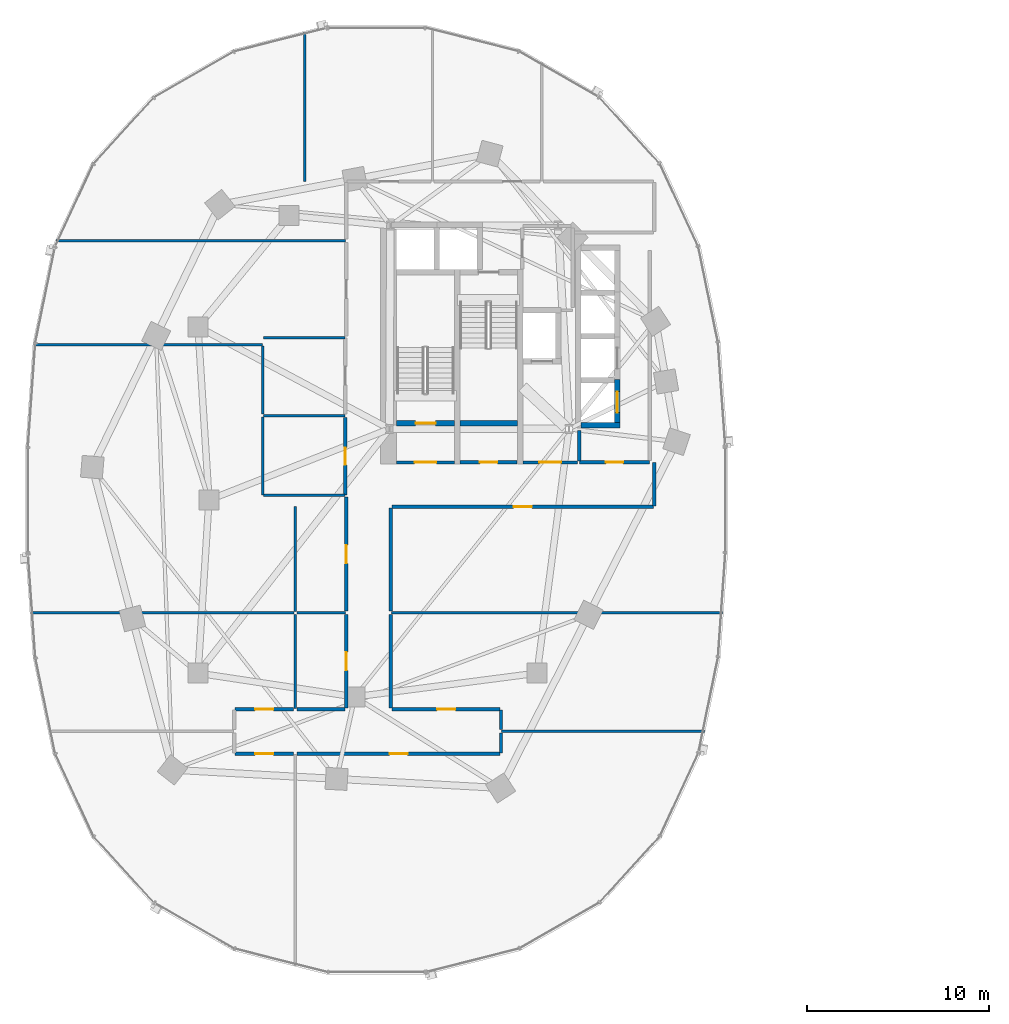
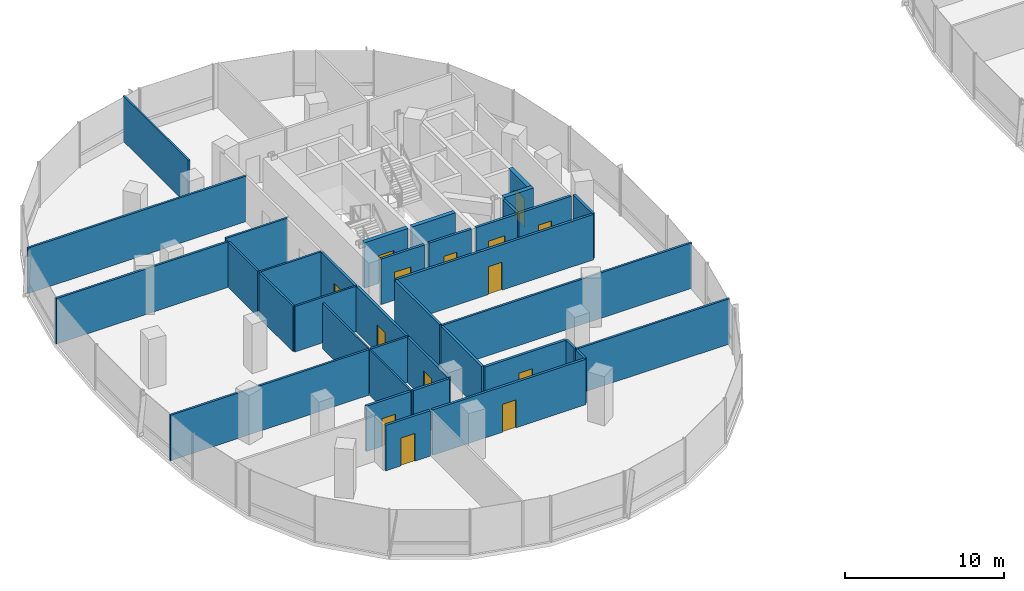
# One storey, part 11 of 22: 37 walls, 14 doors, 14 openings.
"""IFC4 building model written with IfcOpenShell, lengths in metres."""

from ifc_helpers import new_model, si_unit, direction, frame, frame_2d, origin, place, context, subcontext, project, spatial, rectangle, extrude, material, layer, layer_set, type_object, element, fill, save


model = new_model("IFC4")

# Units and contexts
model_context = context("Model", 3, precision=1e-05, world=origin(), true_north=direction((0.0, 1.0)))
body_context = subcontext(model_context, "Body", "Model", "MODEL_VIEW")
ifc_project = project(units=[si_unit("LENGTHUNIT", "METRE"), si_unit("AREAUNIT", "SQUARE_METRE"), si_unit("VOLUMEUNIT", "CUBIC_METRE"), si_unit("PLANEANGLEUNIT", "RADIAN"), si_unit("MASSUNIT", "GRAM", prefix="KILO"), si_unit("THERMODYNAMICTEMPERATUREUNIT", "KELVIN"), si_unit("POWERUNIT", "WATT")], contexts=[model_context])

# Site, building, storey
site_placement = place(None, origin())
site = spatial("IfcSite", under=ifc_project, at=site_placement, CompositionType="ELEMENT")
building_placement = place(site_placement, origin())
building = spatial("IfcBuilding", under=site, at=building_placement, Name="Cundina Bronze Exchange", CompositionType="ELEMENT")
storey_placement = place(building_placement, frame((0.0, 0.0, 43.0)))
storey = spatial("IfcBuildingStorey", under=building, at=storey_placement, Name="L10", CompositionType="ELEMENT", Elevation=43.0)

# Wall
ifc_material_1 = material(Name="Gypsum Fireboard Partition EI120")
ifc_layer_1 = layer(ifc_material_1, 0.179931640625, Name="Gypsum Fireboard Partition EI120")
ifc_layer_set_1 = layer_set([ifc_layer_1], Name="Gypsum Fireboard Partition EI120")
wall_type_1 = type_object("IfcWallType", Name="WL-COR-180", PredefinedType="PARTITIONING", material=ifc_layer_set_1)
wall_1_placement = place(storey_placement, frame((-20.889892578125, 2.14990234375, 0.0), z_axis=(0.0, 0.0, 1.0), x_axis=(0.0, 1.0, 0.0)))
element("IfcWall", 1, at=wall_1_placement, inside=storey, type_object=wall_type_1, Name="L10 W Firefighting Lobby Side Wall", PredefinedType="PARTITIONING", context=body_context, shape_type="SweptSolid", body=[
    extrude(rectangle(XDim=1.650146484375, YDim=0.179931640625, at=frame_2d((0.8251953125, 0.0))), origin(), (0.0, 0.0, 1.0), 3.5),
])

# Wall, opening, door
wall_2_placement = place(storey_placement, frame((-23.97998046875, 2.06005859375, 0.0), z_axis=(0.0, 0.0, 1.0), x_axis=(1.0, 0.0, 0.0)))
wall_2 = element("IfcWall", 2, at=wall_2_placement, inside=storey, type_object=wall_type_1, Name="L10 W Firefighting Lobby Exit Wall", PredefinedType="PARTITIONING", context=body_context, shape_type="SweptSolid", body=[
    extrude(rectangle(XDim=3.0, YDim=0.179931640625, at=frame_2d((1.5, 0.0))), origin(), (0.0, 0.0, 1.0), 3.5),
])
opening_1_placement = place(wall_2_placement, frame((0.89990234375, 0.0, 0.0)))
opening_1 = element("IfcOpeningElement", 3, at=opening_1_placement, cuts=wall_2, Name="Opening DF-01", PredefinedType="OPENING", context=body_context, shape_type="SweptSolid", body=[
    extrude(rectangle(XDim=1.199951171875, YDim=2.14990234375, at=frame_2d((0.60009765625, 1.074951171875))), frame((0.0, 0.099853515625, 0.0), z_axis=(0.0, -1.0, 0.0), x_axis=(1.0, 0.0, 0.0)), (0.0, 0.0, 1.0), 0.199951171875),
])
ifc_material_2 = material(Name="Steel ASTM A36 Painted", Category="steel")
door_type_1 = type_object("IfcDoorType", Name="DR-FFL-1200", OperationType="NOTDEFINED", PredefinedType="DOOR", material=ifc_material_2)
door_1_placement = place(opening_1_placement, origin())
door_1 = element("IfcDoor", 4, at=door_1_placement, inside=storey, type_object=door_type_1, Name="L10 W Firefighting Lobby Door", OperationType="SINGLE_SWING_RIGHT", OverallHeight=2.14990234375, OverallWidth=1.199951171875, PredefinedType="DOOR", context=body_context, shape_type="SweptSolid", body=[
    extrude(rectangle(XDim=1.199951171875, YDim=2.14990234375, at=frame_2d((0.60009765625, 1.074951171875))), frame((0.0, 0.02490234375, 0.0), z_axis=(0.0, -1.0, 0.0), x_axis=(1.0, 0.0, 0.0)), (0.0, 0.0, 1.0), 0.050048828125),
])
fill(opening_1, door_1)

wall_3_placement = place(storey_placement, frame((-30.89990234375, 2.06005859375, 0.0), z_axis=(0.0, 0.0, 1.0), x_axis=(1.0, 0.0, 0.0)))
wall_3 = element("IfcWall", 5, at=wall_3_placement, inside=storey, type_object=wall_type_1, Name="L10 W Stair Vestibule Exit Wall", PredefinedType="PARTITIONING", context=body_context, shape_type="SweptSolid", body=[
    extrude(rectangle(XDim=3.159912109375, YDim=0.179931640625, at=frame_2d((1.580078125, 0.0))), origin(), (0.0, 0.0, 1.0), 3.5),
])
opening_2_placement = place(wall_3_placement, frame((0.97998046875, 0.0, 0.0)))
opening_2 = element("IfcOpeningElement", 6, at=opening_2_placement, cuts=wall_3, Name="Opening DF-01", PredefinedType="OPENING", context=body_context, shape_type="SweptSolid", body=[
    extrude(rectangle(XDim=1.199951171875, YDim=2.14990234375, at=frame_2d((0.60009765625, 1.074951171875))), frame((0.0, 0.099853515625, 0.0), z_axis=(0.0, -1.0, 0.0), x_axis=(1.0, 0.0, 0.0)), (0.0, 0.0, 1.0), 0.199951171875),
])
door_2_placement = place(opening_2_placement, origin())
door_2 = element("IfcDoor", 7, at=door_2_placement, inside=storey, type_object=door_type_1, Name="L10 W Stair Vestibule Door", OperationType="SINGLE_SWING_LEFT", OverallHeight=2.14990234375, OverallWidth=1.199951171875, PredefinedType="DOOR", context=body_context, shape_type="SweptSolid", body=[
    extrude(rectangle(XDim=1.199951171875, YDim=2.14990234375, at=frame_2d((0.60009765625, 1.074951171875))), frame((0.0, 0.02490234375, 0.0), z_axis=(0.0, -1.0, 0.0), x_axis=(1.0, 0.0, 0.0)), (0.0, 0.0, 1.0), 0.050048828125),
])
fill(opening_2, door_2)

wall_4_placement = place(storey_placement, frame((-20.8701171875, 2.070068359375, 0.0), z_axis=(0.0, 0.0, 1.0), x_axis=(1.0, 0.0, 0.0)))
wall_4 = element("IfcWall", 8, at=wall_4_placement, inside=storey, type_object=wall_type_1, Name="L10 Interior Partition 002", PredefinedType="PARTITIONING", context=body_context, shape_type="SweptSolid", body=[
    extrude(rectangle(XDim=3.830078125, YDim=0.179931640625, at=frame_2d((1.9150390625, 0.0))), origin(), (0.0, 0.0, 1.0), 3.5),
])
opening_3_placement = place(wall_4_placement, frame((1.43994140625, 0.0, 0.0)))
opening_3 = element("IfcOpeningElement", 9, at=opening_3_placement, cuts=wall_4, Name="Opening DW-01", PredefinedType="OPENING", context=body_context, shape_type="SweptSolid", body=[
    extrude(rectangle(XDim=0.949951171875, YDim=2.10009765625, at=frame_2d((0.47509765625, 1.050048828125))), frame((0.0, 0.099853515625, 0.0), z_axis=(0.0, -1.0, 0.0), x_axis=(1.0, 0.0, 0.0)), (0.0, 0.0, 1.0), 0.199951171875),
])
ifc_material_3 = material(Name="Solid Andean Oak Timber Grade A", Category="wood")
door_type_2 = type_object("IfcDoorType", Name="DR-WC-950", OperationType="NOTDEFINED", PredefinedType="DOOR", material=ifc_material_3)
door_3_placement = place(opening_3_placement, origin())
door_3 = element("IfcDoor", 10, at=door_3_placement, inside=storey, type_object=door_type_2, Name="L10 Interior Door 002", OperationType="SINGLE_SWING_LEFT", OverallHeight=2.10009765625, OverallWidth=0.949951171875, PredefinedType="DOOR", context=body_context, shape_type="SweptSolid", body=[
    extrude(rectangle(XDim=0.949951171875, YDim=2.10009765625, at=frame_2d((0.47509765625, 1.050048828125))), frame((0.0, 0.02490234375, 0.0), z_axis=(0.0, -1.0, 0.0), x_axis=(1.0, 0.0, 0.0)), (0.0, 0.0, 1.0), 0.050048828125),
])
fill(opening_3, door_3)

wall_5_placement = place(storey_placement, frame((-27.419921875, 2.070068359375, 0.0), z_axis=(0.0, 0.0, 1.0), x_axis=(1.0, 0.0, 0.0)))
wall_5 = element("IfcWall", 11, at=wall_5_placement, inside=storey, type_object=wall_type_1, Name="L10 Interior Partition 006", PredefinedType="PARTITIONING", context=body_context, shape_type="SweptSolid", body=[
    extrude(rectangle(XDim=3.119873046875, YDim=0.179931640625, at=frame_2d((1.56005859375, 0.0))), origin(), (0.0, 0.0, 1.0), 3.5),
])
opening_4_placement = place(wall_5_placement, frame((1.0849609375, 0.0, 0.0)))
opening_4 = element("IfcOpeningElement", 12, at=opening_4_placement, cuts=wall_5, Name="Opening DW-01", PredefinedType="OPENING", context=body_context, shape_type="SweptSolid", body=[
    extrude(rectangle(XDim=0.949951171875, YDim=2.10009765625, at=frame_2d((0.47509765625, 1.050048828125))), frame((0.0, 0.099853515625, 0.0), z_axis=(0.0, -1.0, 0.0), x_axis=(1.0, 0.0, 0.0)), (0.0, 0.0, 1.0), 0.199951171875),
])
door_4_placement = place(opening_4_placement, origin())
door_4 = element("IfcDoor", 13, at=door_4_placement, inside=storey, type_object=door_type_2, Name="L10 Interior Door 006", OperationType="SINGLE_SWING_LEFT", OverallHeight=2.10009765625, OverallWidth=0.949951171875, PredefinedType="DOOR", context=body_context, shape_type="SweptSolid", body=[
    extrude(rectangle(XDim=0.949951171875, YDim=2.10009765625, at=frame_2d((0.47509765625, 1.050048828125))), frame((0.0, 0.02490234375, 0.0), z_axis=(0.0, -1.0, 0.0), x_axis=(1.0, 0.0, 0.0)), (0.0, 0.0, 1.0), 0.050048828125),
])
fill(opening_4, door_4)

wall_6_placement = place(storey_placement, frame((-33.719970703125, 0.27001953125, 0.0), z_axis=(0.0, 0.0, 1.0), x_axis=(0.0, 1.0, 0.0)))
wall_6 = element("IfcWall", 14, at=wall_6_placement, inside=storey, type_object=wall_type_1, Name="L10 Interior Partition 013", PredefinedType="PARTITIONING", context=body_context, shape_type="SweptSolid", body=[
    extrude(rectangle(XDim=4.260009765625, YDim=0.179931640625, at=frame_2d((2.1298828125, 0.0))), origin(), (0.0, 0.0, 1.0), 3.5),
])
opening_5_placement = place(wall_6_placement, frame((1.655029296875, 0.0, 0.0)))
opening_5 = element("IfcOpeningElement", 15, at=opening_5_placement, cuts=wall_6, Name="Opening DW-01", PredefinedType="OPENING", context=body_context, shape_type="SweptSolid", body=[
    extrude(rectangle(XDim=0.949951171875, YDim=2.10009765625, at=frame_2d((0.47509765625, 1.050048828125))), frame((0.0, 0.099853515625, 0.0), z_axis=(0.0, -1.0, 0.0), x_axis=(1.0, 0.0, 0.0)), (0.0, 0.0, 1.0), 0.199951171875),
])
door_5_placement = place(opening_5_placement, origin())
door_5 = element("IfcDoor", 16, at=door_5_placement, inside=storey, type_object=door_type_2, Name="L10 Interior Door 013", OperationType="SINGLE_SWING_LEFT", OverallHeight=2.10009765625, OverallWidth=0.949951171875, PredefinedType="DOOR", context=body_context, shape_type="SweptSolid", body=[
    extrude(rectangle(XDim=0.949951171875, YDim=2.10009765625, at=frame_2d((0.47509765625, 1.050048828125))), frame((0.0, 0.02490234375, 0.0), z_axis=(0.0, -1.0, 0.0), x_axis=(1.0, 0.0, 0.0)), (0.0, 0.0, 1.0), 0.050048828125),
])
fill(opening_5, door_5)

wall_7_placement = place(storey_placement, frame((-36.3701171875, -13.919921875, 0.0), z_axis=(0.0, 0.0, 1.0), x_axis=(1.0, 0.0, 0.0)))
wall_7 = element("IfcWall", 17, at=wall_7_placement, inside=storey, type_object=wall_type_1, Name="L10 Interior Partition 028", PredefinedType="PARTITIONING", context=body_context, shape_type="SweptSolid", body=[
    extrude(rectangle(XDim=11.148681640625, YDim=0.179931640625, at=frame_2d((5.57421875, 0.0))), origin(), (0.0, 0.0, 1.0), 3.5),
])
opening_6_placement = place(wall_7_placement, frame((5.07421875, 0.0, 0.0)))
opening_6 = element("IfcOpeningElement", 18, at=opening_6_placement, cuts=wall_7, Name="Opening DO-01", PredefinedType="OPENING", context=body_context, shape_type="SweptSolid", body=[
    extrude(rectangle(XDim=1.0, YDim=2.14990234375, at=frame_2d((0.5, 1.074951171875))), frame((0.0, 0.099853515625, 0.0), z_axis=(0.0, -1.0, 0.0), x_axis=(1.0, 0.0, 0.0)), (0.0, 0.0, 1.0), 0.199951171875),
])
door_type_3 = type_object("IfcDoorType", Name="DR-OFF-1000", OperationType="NOTDEFINED", PredefinedType="DOOR", material=ifc_material_3)
door_6_placement = place(opening_6_placement, origin())
door_6 = element("IfcDoor", 19, at=door_6_placement, inside=storey, type_object=door_type_3, Name="L10 Interior Door 028", OperationType="SINGLE_SWING_LEFT", OverallHeight=2.14990234375, OverallWidth=1.0, PredefinedType="DOOR", context=body_context, shape_type="SweptSolid", body=[
    extrude(rectangle(XDim=1.0, YDim=2.14990234375, at=frame_2d((0.5, 1.074951171875))), frame((0.0, 0.02490234375, 0.0), z_axis=(0.0, -1.0, 0.0), x_axis=(1.0, 0.0, 0.0)), (0.0, 0.0, 1.0), 0.050048828125),
])
fill(opening_6, door_6)

# Wall
wall_8_placement = place(storey_placement, frame((-25.179931640625, -13.87841796875, 0.0), z_axis=(0.0, 0.0, 1.0), x_axis=(0.0, 1.0, 0.0)))
element("IfcWall", 20, at=wall_8_placement, inside=storey, type_object=wall_type_1, Name="L10 Interior Partition 029", PredefinedType="PARTITIONING", context=body_context, shape_type="SweptSolid", body=[
    extrude(rectangle(XDim=1.098388671875, YDim=0.179931640625, at=frame_2d((0.54931640625, 0.0))), origin(), (0.0, 0.0, 1.0), 3.5),
])

# Wall, opening, door
wall_9_placement = place(storey_placement, frame((-39.778564453125, -13.919921875, 0.0), z_axis=(0.0, 0.0, 1.0), x_axis=(1.0, 0.0, 0.0)))
wall_9 = element("IfcWall", 21, at=wall_9_placement, inside=storey, type_object=wall_type_1, Name="L10 Interior Partition 030", PredefinedType="PARTITIONING", context=body_context, shape_type="SweptSolid", body=[
    extrude(rectangle(XDim=3.228515625, YDim=0.179931640625, at=frame_2d((1.6142578125, 0.0))), origin(), (0.0, 0.0, 1.0), 3.5),
])
opening_7_placement = place(wall_9_placement, frame((1.1142578125, 0.0, 0.0)))
opening_7 = element("IfcOpeningElement", 22, at=opening_7_placement, cuts=wall_9, Name="Opening DO-01", PredefinedType="OPENING", context=body_context, shape_type="SweptSolid", body=[
    extrude(rectangle(XDim=1.0, YDim=2.14990234375, at=frame_2d((0.5, 1.074951171875))), frame((0.0, 0.099853515625, 0.0), z_axis=(0.0, -1.0, 0.0), x_axis=(1.0, 0.0, 0.0)), (0.0, 0.0, 1.0), 0.199951171875),
])
door_7_placement = place(opening_7_placement, origin())
door_7 = element("IfcDoor", 23, at=door_7_placement, inside=storey, type_object=door_type_3, Name="L10 Interior Door 030", OperationType="SINGLE_SWING_LEFT", OverallHeight=2.14990234375, OverallWidth=1.0, PredefinedType="DOOR", context=body_context, shape_type="SweptSolid", body=[
    extrude(rectangle(XDim=1.0, YDim=2.14990234375, at=frame_2d((0.5, 1.074951171875))), frame((0.0, 0.02490234375, 0.0), z_axis=(0.0, -1.0, 0.0), x_axis=(1.0, 0.0, 0.0)), (0.0, 0.0, 1.0), 0.050048828125),
])
fill(opening_7, door_7)

wall_10_placement = place(storey_placement, frame((-36.550048828125, -11.47998046875, 0.0), z_axis=(0.0, 0.0, 1.0), x_axis=(-1.0, 0.0, 0.0)))
wall_10 = element("IfcWall", 24, at=wall_10_placement, inside=storey, type_object=wall_type_1, Name="L10 Interior Partition 032", PredefinedType="PARTITIONING", context=body_context, shape_type="SweptSolid", body=[
    extrude(rectangle(XDim=3.228515625, YDim=0.179931640625, at=frame_2d((1.6142578125, 0.0))), origin(), (0.0, 0.0, 1.0), 3.5),
])
opening_8_placement = place(wall_10_placement, frame((1.1142578125, 0.0, 0.0)))
opening_8 = element("IfcOpeningElement", 25, at=opening_8_placement, cuts=wall_10, Name="Opening DO-01", PredefinedType="OPENING", context=body_context, shape_type="SweptSolid", body=[
    extrude(rectangle(XDim=1.0, YDim=2.14990234375, at=frame_2d((0.5, 1.074951171875))), frame((0.0, 0.099853515625, 0.0), z_axis=(0.0, -1.0, 0.0), x_axis=(1.0, 0.0, 0.0)), (0.0, 0.0, 1.0), 0.199951171875),
])
door_8_placement = place(opening_8_placement, origin())
door_8 = element("IfcDoor", 26, at=door_8_placement, inside=storey, type_object=door_type_3, Name="L10 Interior Door 032", OperationType="SINGLE_SWING_RIGHT", OverallHeight=2.14990234375, OverallWidth=1.0, PredefinedType="DOOR", context=body_context, shape_type="SweptSolid", body=[
    extrude(rectangle(XDim=1.0, YDim=2.14990234375, at=frame_2d((0.5, 1.074951171875))), frame((0.0, 0.02490234375, 0.0), z_axis=(0.0, -1.0, 0.0), x_axis=(1.0, 0.0, 0.0)), (0.0, 0.0, 1.0), 0.050048828125),
])
fill(opening_8, door_8)

wall_11_placement = place(storey_placement, frame((-25.221435546875, -11.47998046875, 0.0), z_axis=(0.0, 0.0, 1.0), x_axis=(-1.0, 0.0, 0.0)))
wall_11 = element("IfcWall", 27, at=wall_11_placement, inside=storey, type_object=wall_type_1, Name="L10 Interior Partition 034", PredefinedType="PARTITIONING", context=body_context, shape_type="SweptSolid", body=[
    extrude(rectangle(XDim=5.928466796875, YDim=0.179931640625, at=frame_2d((2.96435546875, 0.0))), origin(), (0.0, 0.0, 1.0), 3.5),
])
opening_9_placement = place(wall_11_placement, frame((2.464111328125, 0.0, 0.0)))
opening_9 = element("IfcOpeningElement", 28, at=opening_9_placement, cuts=wall_11, Name="Opening DO-01", PredefinedType="OPENING", context=body_context, shape_type="SweptSolid", body=[
    extrude(rectangle(XDim=1.0, YDim=2.14990234375, at=frame_2d((0.5, 1.074951171875))), frame((0.0, 0.099853515625, 0.0), z_axis=(0.0, -1.0, 0.0), x_axis=(1.0, 0.0, 0.0)), (0.0, 0.0, 1.0), 0.199951171875),
])
door_9_placement = place(opening_9_placement, origin())
door_9 = element("IfcDoor", 29, at=door_9_placement, inside=storey, type_object=door_type_3, Name="L10 Interior Door 034", OperationType="SINGLE_SWING_LEFT", OverallHeight=2.14990234375, OverallWidth=1.0, PredefinedType="DOOR", context=body_context, shape_type="SweptSolid", body=[
    extrude(rectangle(XDim=1.0, YDim=2.14990234375, at=frame_2d((0.5, 1.074951171875))), frame((0.0, 0.02490234375, 0.0), z_axis=(0.0, -1.0, 0.0), x_axis=(1.0, 0.0, 0.0)), (0.0, 0.0, 1.0), 0.050048828125),
])
fill(opening_9, door_9)

# Walls
wall_12_placement = place(storey_placement, frame((-31.22998046875, -11.39990234375, 0.0), z_axis=(0.0, 0.0, 1.0), x_axis=(0.0, 1.0, 0.0)))
element("IfcWall", 30, at=wall_12_placement, inside=storey, type_object=wall_type_1, Name="L10 Interior Partition 035", PredefinedType="PARTITIONING", context=body_context, shape_type="SweptSolid", body=[
    extrude(rectangle(XDim=5.119873046875, YDim=0.179931640625, at=frame_2d((2.56005859375, 0.0))), origin(), (0.0, 0.0, 1.0), 3.5),
])
wall_13_placement = place(storey_placement, frame((-25.179931640625, -12.60009765625, 0.0), z_axis=(0.0, 0.0, 1.0), x_axis=(0.0, 1.0, 0.0)))
element("IfcWall", 31, at=wall_13_placement, inside=storey, type_object=wall_type_1, Name="L10 Interior Partition 036", PredefinedType="PARTITIONING", context=body_context, shape_type="SweptSolid", body=[
    extrude(rectangle(XDim=1.07861328125, YDim=0.179931640625, at=frame_2d((0.539306640625, 0.0))), origin(), (0.0, 0.0, 1.0), 3.5),
])

# Wall, opening, door
wall_14_placement = place(storey_placement, frame((-33.669921875, -6.280029296875, 0.0), z_axis=(0.0, 0.0, 1.0), x_axis=(0.0, -1.0, 0.0)))
wall_14 = element("IfcWall", 32, at=wall_14_placement, inside=storey, type_object=wall_type_1, Name="L10 Interior Partition 037", PredefinedType="PARTITIONING", context=body_context, shape_type="SweptSolid", body=[
    extrude(rectangle(XDim=5.119873046875, YDim=0.179931640625, at=frame_2d((2.56005859375, 0.0))), origin(), (0.0, 0.0, 1.0), 3.5),
])
opening_10_placement = place(wall_14_placement, frame((2.06005859375, 0.0, 0.0)))
opening_10 = element("IfcOpeningElement", 33, at=opening_10_placement, cuts=wall_14, Name="Opening DO-01", PredefinedType="OPENING", context=body_context, shape_type="SweptSolid", body=[
    extrude(rectangle(XDim=1.0, YDim=2.14990234375, at=frame_2d((0.5, 1.074951171875))), frame((0.0, 0.099853515625, 0.0), z_axis=(0.0, -1.0, 0.0), x_axis=(1.0, 0.0, 0.0)), (0.0, 0.0, 1.0), 0.199951171875),
])
door_10_placement = place(opening_10_placement, origin())
door_10 = element("IfcDoor", 34, at=door_10_placement, inside=storey, type_object=door_type_3, Name="L10 Interior Door 037", OperationType="SINGLE_SWING_LEFT", OverallHeight=2.14990234375, OverallWidth=1.0, PredefinedType="DOOR", context=body_context, shape_type="SweptSolid", body=[
    extrude(rectangle(XDim=1.0, YDim=2.14990234375, at=frame_2d((0.5, 1.074951171875))), frame((0.0, 0.02490234375, 0.0), z_axis=(0.0, -1.0, 0.0), x_axis=(1.0, 0.0, 0.0)), (0.0, 0.0, 1.0), 0.050048828125),
])
fill(opening_10, door_10)

# Wall
wall_15_placement = place(storey_placement, frame((-33.75, -11.47998046875, 0.0), z_axis=(0.0, 0.0, 1.0), x_axis=(-1.0, 0.0, 0.0)))
element("IfcWall", 35, at=wall_15_placement, inside=storey, type_object=wall_type_1, Name="L10 Interior Partition 038", PredefinedType="PARTITIONING", context=body_context, shape_type="SweptSolid", body=[
    extrude(rectangle(XDim=2.6201171875, YDim=0.179931640625, at=frame_2d((1.31005859375, 0.0))), origin(), (0.0, 0.0, 1.0), 3.5),
])

# Wall, opening, door
wall_16_placement = place(storey_placement, frame((-33.669921875, 0.15869140625, 0.0), z_axis=(0.0, 0.0, 1.0), x_axis=(0.0, -1.0, 0.0)))
wall_16 = element("IfcWall", 36, at=wall_16_placement, inside=storey, type_object=wall_type_1, Name="L10 Interior Partition 039", PredefinedType="PARTITIONING", context=body_context, shape_type="SweptSolid", body=[
    extrude(rectangle(XDim=6.2587890625, YDim=0.179931640625, at=frame_2d((3.12939453125, 0.0))), origin(), (0.0, 0.0, 1.0), 3.5),
])
opening_11_placement = place(wall_16_placement, frame((2.62939453125, 0.0, 0.0)))
opening_11 = element("IfcOpeningElement", 37, at=opening_11_placement, cuts=wall_16, Name="Opening DO-01", PredefinedType="OPENING", context=body_context, shape_type="SweptSolid", body=[
    extrude(rectangle(XDim=1.0, YDim=2.14990234375, at=frame_2d((0.5, 1.074951171875))), frame((0.0, 0.099853515625, 0.0), z_axis=(0.0, -1.0, 0.0), x_axis=(1.0, 0.0, 0.0)), (0.0, 0.0, 1.0), 0.199951171875),
])
door_11_placement = place(opening_11_placement, origin())
door_11 = element("IfcDoor", 38, at=door_11_placement, inside=storey, type_object=door_type_3, Name="L10 Interior Door 039", OperationType="SINGLE_SWING_LEFT", OverallHeight=2.14990234375, OverallWidth=1.0, PredefinedType="DOOR", context=body_context, shape_type="SweptSolid", body=[
    extrude(rectangle(XDim=1.0, YDim=2.14990234375, at=frame_2d((0.5, 1.074951171875))), frame((0.0, 0.02490234375, 0.0), z_axis=(0.0, -1.0, 0.0), x_axis=(1.0, 0.0, 0.0)), (0.0, 0.0, 1.0), 0.050048828125),
])
fill(opening_11, door_11)

wall_17_placement = place(storey_placement, frame((-31.14990234375, -0.3701171875, 0.0), z_axis=(0.0, 0.0, 1.0), x_axis=(1.0, 0.0, 0.0)))
wall_17 = element("IfcWall", 39, at=wall_17_placement, inside=storey, type_object=wall_type_1, Name="L10 Interior Partition 040", PredefinedType="PARTITIONING", context=body_context, shape_type="SweptSolid", body=[
    extrude(rectangle(XDim=14.328369140625, YDim=0.179931640625, at=frame_2d((7.1640625, 0.0))), origin(), (0.0, 0.0, 1.0), 3.5),
])
opening_12_placement = place(wall_17_placement, frame((6.664306640625, 0.0, 0.0)))
opening_12 = element("IfcOpeningElement", 40, at=opening_12_placement, cuts=wall_17, Name="Opening DO-01", PredefinedType="OPENING", context=body_context, shape_type="SweptSolid", body=[
    extrude(rectangle(XDim=1.0, YDim=2.14990234375, at=frame_2d((0.5, 1.074951171875))), frame((0.0, 0.099853515625, 0.0), z_axis=(0.0, -1.0, 0.0), x_axis=(1.0, 0.0, 0.0)), (0.0, 0.0, 1.0), 0.199951171875),
])
door_12_placement = place(opening_12_placement, origin())
door_12 = element("IfcDoor", 41, at=door_12_placement, inside=storey, type_object=door_type_3, Name="L10 Interior Door 040", OperationType="SINGLE_SWING_LEFT", OverallHeight=2.14990234375, OverallWidth=1.0, PredefinedType="DOOR", context=body_context, shape_type="SweptSolid", body=[
    extrude(rectangle(XDim=1.0, YDim=2.14990234375, at=frame_2d((0.5, 1.074951171875))), frame((0.0, 0.02490234375, 0.0), z_axis=(0.0, -1.0, 0.0), x_axis=(1.0, 0.0, 0.0)), (0.0, 0.0, 1.0), 0.050048828125),
])
fill(opening_12, door_12)

# Walls
wall_18_placement = place(storey_placement, frame((-31.22998046875, -6.10009765625, 0.0), z_axis=(0.0, 0.0, 1.0), x_axis=(0.0, 1.0, 0.0)))
element("IfcWall", 42, at=wall_18_placement, inside=storey, type_object=wall_type_1, Name="L10 Interior Partition 042", PredefinedType="PARTITIONING", context=body_context, shape_type="SweptSolid", body=[
    extrude(rectangle(XDim=5.650146484375, YDim=0.179931640625, at=frame_2d((2.8251953125, 0.0))), origin(), (0.0, 0.0, 1.0), 3.5),
])
wall_19_placement = place(storey_placement, frame((-16.780029296875, -0.32861328125, 0.0), z_axis=(0.0, 0.0, 1.0), x_axis=(0.0, 1.0, 0.0)))
element("IfcWall", 43, at=wall_19_placement, inside=storey, type_object=wall_type_1, Name="L10 Interior Partition 045", PredefinedType="PARTITIONING", context=body_context, shape_type="SweptSolid", body=[
    extrude(rectangle(XDim=2.38720703125, YDim=0.179931640625, at=frame_2d((1.193603515625, 0.0))), origin(), (0.0, 0.0, 1.0), 3.5),
])
ifc_material_4 = material(Name="Gypsum Acoustic Partition EI60")
ifc_layer_2 = layer(ifc_material_4, 0.125, Name="Gypsum Acoustic Partition EI60")
ifc_layer_set_2 = layer_set([ifc_layer_2], Name="Gypsum Acoustic Partition EI60")
wall_type_2 = type_object("IfcWallType", Name="WL-OFF-125", PredefinedType="PARTITIONING", material=ifc_layer_set_2)
wall_20_placement = place(storey_placement, frame((-36.4599609375, -11.449951171875, 0.0), z_axis=(0.0, 0.0, 1.0), x_axis=(0.0, 1.0, 0.0)))
element("IfcWall", 44, at=wall_20_placement, inside=storey, type_object=wall_type_2, Name="L10 Interior Partition 016", PredefinedType="PARTITIONING", context=body_context, shape_type="SweptSolid", body=[
    extrude(rectangle(XDim=5.175048828125, YDim=0.125, at=frame_2d((2.58740234375, 0.0))), origin(), (0.0, 0.0, 1.0), 3.5),
])
wall_21_placement = place(storey_placement, frame((-36.4599609375, -6.10498046875, 0.0), z_axis=(0.0, 0.0, 1.0), x_axis=(0.0, 1.0, 0.0)))
element("IfcWall", 45, at=wall_21_placement, inside=storey, type_object=wall_type_2, Name="L10 Interior Partition 017", PredefinedType="PARTITIONING", context=body_context, shape_type="SweptSolid", body=[
    extrude(rectangle(XDim=5.73486328125, YDim=0.125, at=frame_2d((2.867431640625, 0.0))), origin(), (0.0, 0.0, 1.0), 3.5),
])
wall_22_placement = place(storey_placement, frame((-35.93994140625, 17.469970703125, 0.0), z_axis=(0.0, 0.0, 1.0), x_axis=(0.0, 1.0, 0.0)))
element("IfcWall", 46, at=wall_22_placement, inside=storey, type_object=wall_type_2, Name="L10 Interior Partition 025", PredefinedType="PARTITIONING", context=body_context, shape_type="SweptSolid", body=[
    extrude(rectangle(XDim=8.202392578125, YDim=0.125, at=frame_2d((4.10107421875, 0.0))), origin(), (0.0, 0.0, 1.0), 3.5),
])

# Wall, opening, door
ifc_material_5 = material(Name="Concrete C50/60", Category="concrete")
ifc_layer_3 = layer(ifc_material_5, 0.300048828125, Name="Concrete C50/60", Category="concrete")
ifc_layer_set_3 = layer_set([ifc_layer_3], Name="Concrete C50/60")
wall_type_3 = type_object("IfcWallType", Name="WL-SHFT-300", PredefinedType="SHEAR", material=ifc_layer_set_3)
wall_23_placement = place(storey_placement, frame((-30.89990234375, 4.199951171875, 0.0), z_axis=(0.0, 0.0, 1.0), x_axis=(1.0, 0.0, 0.0)))
wall_23 = element("IfcWall", 47, at=wall_23_placement, inside=storey, type_object=wall_type_3, Name="L10 Stair W1 Landing Wall", PredefinedType="SHEAR", context=body_context, shape_type="SweptSolid", body=[
    extrude(rectangle(XDim=3.159912109375, YDim=0.300048828125, at=frame_2d((1.580078125, 0.0))), origin(), (0.0, 0.0, 1.0), 3.5),
])
opening_13_placement = place(wall_23_placement, frame((1.030029296875, 0.0, 0.0)))
opening_13 = element("IfcOpeningElement", 48, at=opening_13_placement, cuts=wall_23, Name="Opening DS-01", PredefinedType="OPENING", context=body_context, shape_type="SweptSolid", body=[
    extrude(rectangle(XDim=1.10009765625, YDim=2.14990234375, at=frame_2d((0.550048828125, 1.074951171875))), frame((0.0, 0.159912109375, 0.0), z_axis=(0.0, -1.0, 0.0), x_axis=(1.0, 0.0, 0.0)), (0.0, 0.0, 1.0), 0.320068359375),
])
door_type_4 = type_object("IfcDoorType", Name="DR-STR-1100", OperationType="NOTDEFINED", PredefinedType="DOOR", material=ifc_material_2)
door_13_placement = place(opening_13_placement, origin())
door_13 = element("IfcDoor", 49, at=door_13_placement, inside=storey, type_object=door_type_4, Name="L10 Smokeproof Stair W1 Door", OperationType="SINGLE_SWING_RIGHT", OverallHeight=2.14990234375, OverallWidth=1.10009765625, PredefinedType="DOOR", context=body_context, shape_type="SweptSolid", body=[
    extrude(rectangle(XDim=1.10009765625, YDim=2.14990234375, at=frame_2d((0.550048828125, 1.074951171875))), frame((0.0, 0.02490234375, 0.0), z_axis=(0.0, -1.0, 0.0), x_axis=(1.0, 0.0, 0.0)), (0.0, 0.0, 1.0), 0.050048828125),
])
fill(opening_13, door_13)

# Walls
wall_24_placement = place(storey_placement, frame((-27.43994140625, 4.199951171875, 0.0), z_axis=(0.0, 0.0, 1.0), x_axis=(1.0, 0.0, 0.0)))
element("IfcWall", 50, at=wall_24_placement, inside=storey, type_object=wall_type_3, Name="L10 Stair W2 Far Shaft Wall", PredefinedType="SHEAR", context=body_context, shape_type="SweptSolid", body=[
    extrude(rectangle(XDim=3.159912109375, YDim=0.300048828125, at=frame_2d((1.580078125, 0.0))), origin(), (0.0, 0.0, 1.0), 3.5),
])
wall_25_placement = place(storey_placement, frame((-20.800048828125, 4.10009765625, 0.0), z_axis=(0.0, 0.0, 1.0), x_axis=(1.0, 0.0, 0.0)))
element("IfcWall", 51, at=wall_25_placement, inside=storey, type_object=wall_type_3, Name="L10 W Passenger Bank South Cap Wall", PredefinedType="SHEAR", context=body_context, shape_type="SweptSolid", body=[
    extrude(rectangle(XDim=2.150146484375, YDim=0.300048828125, at=frame_2d((1.0751953125, 0.0))), origin(), (0.0, 0.0, 1.0), 3.5),
])

# Wall, opening, door
wall_26_placement = place(storey_placement, frame((-18.800048828125, 4.1298828125, 0.0), z_axis=(0.0, 0.0, 1.0), x_axis=(0.0, 1.0, 0.0)))
wall_26 = element("IfcWall", 52, at=wall_26_placement, inside=storey, type_object=wall_type_3, Name="L10 PL-W2 Hoistway Front Wall", PredefinedType="SHEAR", context=body_context, shape_type="SweptSolid", body=[
    extrude(rectangle(XDim=2.490234375, YDim=0.300048828125, at=frame_2d((1.2451171875, 0.0))), origin(), (0.0, 0.0, 1.0), 3.5),
])
opening_14_placement = place(wall_26_placement, frame((0.669921875, 0.0, 0.0)))
opening_14 = element("IfcOpeningElement", 53, at=opening_14_placement, cuts=wall_26, Name="Opening LD-01", PredefinedType="OPENING", context=body_context, shape_type="SweptSolid", body=[
    extrude(rectangle(XDim=1.14990234375, YDim=2.199951171875, at=frame_2d((0.574951171875, 1.10009765625))), frame((0.0, 0.159912109375, 0.0), z_axis=(0.0, -1.0, 0.0), x_axis=(1.0, 0.0, 0.0)), (0.0, 0.0, 1.0), 0.320068359375),
])
door_type_5 = type_object("IfcDoorType", Name="DR-LND-1150", OperationType="NOTDEFINED", PredefinedType="TRAPDOOR", material=ifc_material_2)
door_14_placement = place(opening_14_placement, origin())
door_14 = element("IfcDoor", 54, at=door_14_placement, inside=storey, type_object=door_type_5, Name="L10 PL-W2 Sliding Landing Door", OperationType="SLIDING_TO_LEFT", OverallHeight=2.199951171875, OverallWidth=1.14990234375, PredefinedType="TRAPDOOR", context=body_context, shape_type="SweptSolid", body=[
    extrude(rectangle(XDim=1.14990234375, YDim=2.199951171875, at=frame_2d((0.574951171875, 1.10009765625))), frame((0.0, 0.02490234375, 0.0), z_axis=(0.0, -1.0, 0.0), x_axis=(1.0, 0.0, 0.0)), (0.0, 0.0, 1.0), 0.050048828125),
])
fill(opening_14, door_14)

# Walls
ifc_layer_4 = layer(ifc_material_4, 0.14990234375, Name="Gypsum Acoustic Partition EI60")
ifc_layer_set_4 = layer_set([ifc_layer_4], Name="Gypsum Acoustic Partition EI60")
wall_type_4 = type_object("IfcWallType", Name="WL-TEN-150", PredefinedType="PARTITIONING", material=ifc_layer_set_4)
wall_27_placement = place(storey_placement, frame((-50.978515625, -6.18994140625, 0.0), z_axis=(0.0, 0.0, 1.0), x_axis=(1.0, 0.0, 0.0)))
element("IfcWall", 55, at=wall_27_placement, inside=storey, type_object=wall_type_4, Name="L10 Interior Partition 018", PredefinedType="PARTITIONING", context=body_context, shape_type="SweptSolid", body=[
    extrude(rectangle(XDim=14.43359375, YDim=0.14990234375, at=frame_2d((7.216796875, 0.0))), origin(), (0.0, 0.0, 1.0), 3.5),
])
wall_28_placement = place(storey_placement, frame((-36.375, -6.18994140625, 0.0), z_axis=(0.0, 0.0, 1.0), x_axis=(1.0, 0.0, 0.0)))
element("IfcWall", 56, at=wall_28_placement, inside=storey, type_object=wall_type_4, Name="L10 Interior Partition 019", PredefinedType="PARTITIONING", context=body_context, shape_type="SweptSolid", body=[
    extrude(rectangle(XDim=2.675048828125, YDim=0.14990234375, at=frame_2d((1.33740234375, 0.0))), origin(), (0.0, 0.0, 1.0), 3.5),
])
wall_29_placement = place(storey_placement, frame((-31.199951171875, -6.18994140625, 0.0), z_axis=(0.0, 0.0, 1.0), x_axis=(1.0, 0.0, 0.0)))
element("IfcWall", 57, at=wall_29_placement, inside=storey, type_object=wall_type_4, Name="L10 Interior Partition 020", PredefinedType="PARTITIONING", context=body_context, shape_type="SweptSolid", body=[
    extrude(rectangle(XDim=18.178466796875, YDim=0.14990234375, at=frame_2d((9.08935546875, 0.0))), origin(), (0.0, 0.0, 1.0), 3.5),
])
wall_30_placement = place(storey_placement, frame((-25.14990234375, -12.68994140625, 0.0), z_axis=(0.0, 0.0, 1.0), x_axis=(1.0, 0.0, 0.0)))
element("IfcWall", 58, at=wall_30_placement, inside=storey, type_object=wall_type_4, Name="L10 Interior Partition 022", PredefinedType="PARTITIONING", context=body_context, shape_type="SweptSolid", body=[
    extrude(rectangle(XDim=11.1240234375, YDim=0.14990234375, at=frame_2d((5.56201171875, 0.0))), origin(), (0.0, 0.0, 1.0), 3.5),
])
wall_31_placement = place(storey_placement, frame((-50.814208984375, 8.52001953125, 0.0), z_axis=(0.0, 0.0, 1.0), x_axis=(1.0, 0.0, 0.0)))
element("IfcWall", 59, at=wall_31_placement, inside=storey, type_object=wall_type_4, Name="L10 Interior Partition 023", PredefinedType="PARTITIONING", context=body_context, shape_type="SweptSolid", body=[
    extrude(rectangle(XDim=12.544189453125, YDim=0.14990234375, at=frame_2d((6.27197265625, 0.0))), origin(), (0.0, 0.0, 1.0), 3.5),
])
wall_32_placement = place(storey_placement, frame((-49.584716796875, 14.219970703125, 0.0), z_axis=(0.0, 0.0, 1.0), x_axis=(1.0, 0.0, 0.0)))
element("IfcWall", 60, at=wall_32_placement, inside=storey, type_object=wall_type_4, Name="L10 Interior Partition 024", PredefinedType="PARTITIONING", context=body_context, shape_type="SweptSolid", body=[
    extrude(rectangle(XDim=15.884765625, YDim=0.14990234375, at=frame_2d((7.9423828125, 0.0))), origin(), (0.0, 0.0, 1.0), 3.5),
])
ifc_material_6 = material(Name="Moisture-Resistant Masonry Block Grade M15", Category="masonry")
ifc_layer_5 = layer(ifc_material_6, 0.139892578125, Name="Moisture-Resistant Masonry Block Grade M15", Category="masonry")
ifc_layer_set_5 = layer_set([ifc_layer_5], Name="Moisture-Resistant Masonry Block Grade M15")
wall_type_5 = type_object("IfcWallType", Name="WL-WET-140", PredefinedType="PARTITIONING", material=ifc_layer_set_5)
wall_33_placement = place(storey_placement, frame((-38.239990234375, 0.27001953125, 0.0), z_axis=(0.0, 0.0, 1.0), x_axis=(0.0, 1.0, 0.0)))
element("IfcWall", 61, at=wall_33_placement, inside=storey, type_object=wall_type_5, Name="L10 Interior Partition 008", PredefinedType="PARTITIONING", context=body_context, shape_type="SweptSolid", body=[
    extrude(rectangle(XDim=4.27490234375, YDim=0.139892578125, at=frame_2d((2.137451171875, 0.0))), origin(), (0.0, 0.0, 1.0), 3.5),
])
wall_34_placement = place(storey_placement, frame((-38.239990234375, 4.715087890625, 0.0), z_axis=(0.0, 0.0, 1.0), x_axis=(0.0, 1.0, 0.0)))
element("IfcWall", 62, at=wall_34_placement, inside=storey, type_object=wall_type_5, Name="L10 Interior Partition 009", PredefinedType="PARTITIONING", context=body_context, shape_type="SweptSolid", body=[
    extrude(rectangle(XDim=3.719970703125, YDim=0.139892578125, at=frame_2d((1.85986328125, 0.0))), origin(), (0.0, 0.0, 1.0), 3.5),
])
for number, where, z_axis, x_axis, name in (
    (63, (-38.219970703125, 0.25, 0.0), (0.0, 0.0, 1.0), (1.0, 0.0, 0.0), "L10 Interior Partition 010"),
    (64, (-38.219970703125, 4.6298828125, 0.0), (0.0, 0.0, 1.0), (1.0, 0.0, 0.0), "L10 Interior Partition 011"),
    (65, (-38.219970703125, 8.909912109375, 0.0), (0.0, 0.0, 1.0), (1.0, 0.0, 0.0), "L10 Interior Partition 012"),
):
    element("IfcWall", number, at=place(storey_placement, frame(where, z_axis=z_axis, x_axis=x_axis)), inside=storey, type_object=wall_type_5, Name=name, PredefinedType="PARTITIONING", context=body_context, shape_type="SweptSolid", body=[
        extrude(rectangle(XDim=4.47998046875, YDim=0.139892578125, at=frame_2d((2.239990234375, 0.0))), origin(), (0.0, 0.0, 1.0), 3.5),
    ])

save(model, "model.ifc")
